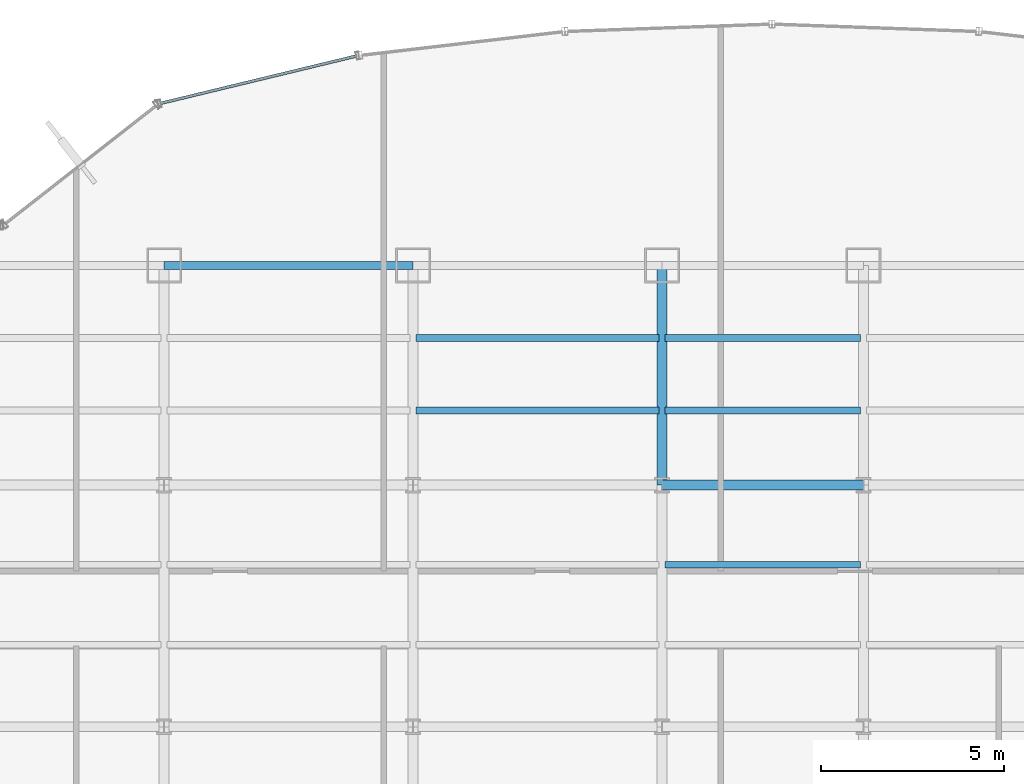
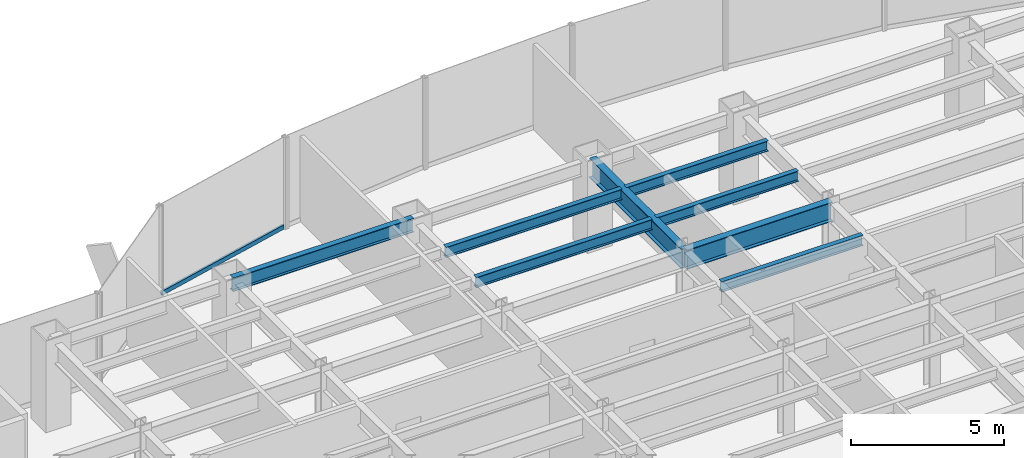
# One storey, part 12 of 23: 8 beams, 1 member, 1 element without a shape of its own.
"""IFC4 building model written with IfcOpenShell, lengths in metres."""

from ifc_helpers import new_model, si_unit, derived_unit, direction, frame, origin, origin_2d, place, context, subcontext, project, spatial, hollow_rectangle, i_section, extrude, source, transform, mapped, material, material_profile, profile_set, type_object, element, aggregate, save


model = new_model("IFC4")

# Units and contexts
model_context = context("Model", 3, precision=1e-05, world=origin(), true_north=direction((0.0, 1.0)))
body_context = subcontext(model_context, "Body", "Model", "MODEL_VIEW")
ifc_project = project(units=[si_unit("LENGTHUNIT", "METRE"), si_unit("AREAUNIT", "SQUARE_METRE"), si_unit("VOLUMEUNIT", "CUBIC_METRE"), si_unit("PLANEANGLEUNIT", "RADIAN"), si_unit("MASSUNIT", "GRAM", prefix="KILO"), derived_unit("THERMALTRANSMITTANCEUNIT", [(si_unit("POWERUNIT", "WATT"), 1), (si_unit("LENGTHUNIT", "METRE"), -2), (si_unit("THERMODYNAMICTEMPERATUREUNIT", "KELVIN"), -1)])], contexts=[model_context])

# Site, building, storey
site_placement = place(None, origin())
site = spatial("IfcSite", under=ifc_project, at=site_placement, CompositionType="ELEMENT")
building_placement = place(site_placement, origin())
building = spatial("IfcBuilding", under=site, at=building_placement, Name="Skarnbrae Concourse Arena and Tower", CompositionType="ELEMENT")
storey_placement = place(building_placement, frame((0.0, 0.0, 47.10009765625)))
storey = spatial("IfcBuildingStorey", under=building, at=storey_placement, Name="L10", CompositionType="ELEMENT", Elevation=47.10009765625)

# Beams
ifc_material_1 = material(Name="Steel CSA G40.21 350W", Category="steel")
ifc_material_profile_1 = material_profile(ifc_material_1, i_section(OverallWidth=0.26806640625, OverallDepth=0.77001953125, WebThickness=0.015625, FlangeThickness=0.025390625, at=origin_2d()), Name="W760X196")
ifc_profile_set_1 = profile_set([ifc_material_profile_1], Name="Steel CSA G40.21 350W")
beam_type_1 = type_object("IfcBeamType", Name="BM-GIRD-W760X196", PredefinedType="BEAM", material=ifc_profile_set_1)
shared_shape_1 = source(origin(), body_context, "Body", "SweptSolid", [
    extrude(i_section(OverallWidth=0.26806640625, OverallDepth=0.77001953125, WebThickness=0.015625, FlangeThickness=0.025390625, at=origin_2d()), origin(), (0.0, 0.0, 1.0), 5.5),
])
beam_1_placement = place(storey_placement, frame((28.0, 34.39990234375, 3.014892578125), z_axis=(1.0, 0.0, 0.0), x_axis=(0.0, 1.0, 0.0)))
element("IfcBeam", 1, at=beam_1_placement, inside=storey, type_object=beam_type_1, Name="L10 Primary E-W girder Y34.4-5", PredefinedType="BEAM", context=body_context, shape_type="MappedRepresentation", body=[
    mapped(shared_shape_1, transform((0.0, 0.0, 0.0))),
])
shared_shape_2 = source(origin(), body_context, "Body", "SweptSolid", [
    extrude(i_section(OverallWidth=0.26806640625, OverallDepth=0.77001953125, WebThickness=0.015625, FlangeThickness=0.025390625, at=origin_2d()), origin(), (0.0, 0.0, 1.0), 6.0),
])
beam_2_placement = place(storey_placement, frame((28.0, 34.39990234375, 3.014892578125), z_axis=(0.0, 1.0, 0.0), x_axis=(-1.0, 0.0, 0.0)))
element("IfcBeam", 2, at=beam_2_placement, inside=storey, type_object=beam_type_1, Name="L10 Primary N-S girder X28.0-4", PredefinedType="BEAM", context=body_context, shape_type="MappedRepresentation", body=[
    mapped(shared_shape_2, transform((0.0, 0.0, 0.0))),
])
ifc_material_profile_2 = material_profile(ifc_material_1, i_section(OverallWidth=0.214111328125, OverallDepth=0.549072265625, WebThickness=0.0146484375, FlangeThickness=0.023681640625, at=origin_2d()), Name="W530X138")
ifc_profile_set_2 = profile_set([ifc_material_profile_2], Name="Steel CSA G40.21 350W")
beam_type_2 = type_object("IfcBeamType", Name="BM-SPAN-W530X138", PredefinedType="SPANDREL", material=ifc_profile_set_2)
shared_shape_3 = source(origin(), body_context, "Body", "SweptSolid", [
    extrude(i_section(OverallWidth=0.214111328125, OverallDepth=0.549072265625, WebThickness=0.0146484375, FlangeThickness=0.023681640625, at=origin_2d()), origin(), (0.0, 0.0, 1.0), 6.800048828125),
])
beam_3_placement = place(storey_placement, frame((14.39990234375, 40.39990234375, 3.12548828125), z_axis=(1.0, 0.0, 0.0), x_axis=(0.0, 1.0, 0.0)))
element("IfcBeam", 3, at=beam_3_placement, inside=storey, type_object=beam_type_2, Name="L10 Perimeter spandrel Y40.4-2", PredefinedType="SPANDREL", context=body_context, shape_type="MappedRepresentation", body=[
    mapped(shared_shape_3, transform((0.0, 0.0, 0.0))),
])
ifc_material_profile_3 = material_profile(ifc_material_1, i_section(OverallWidth=0.180908203125, OverallDepth=0.4169921875, WebThickness=0.010986328125, FlangeThickness=0.018310546875, at=origin_2d()), Name="W410X85")
ifc_profile_set_3 = profile_set([ifc_material_profile_3], Name="Steel CSA G40.21 350W")
beam_type_3 = type_object("IfcBeamType", Name="BM-JOIST-W410X85", PredefinedType="JOIST", material=ifc_profile_set_3)
shared_shape_4 = source(origin(), body_context, "Body", "SweptSolid", [
    extrude(i_section(OverallWidth=0.180908203125, OverallDepth=0.4169921875, WebThickness=0.010986328125, FlangeThickness=0.018310546875, at=origin_2d()), origin(), (0.0, 0.0, 1.0), 6.639892578125),
])
for number, where, z_axis, x_axis, name in (
    (4, (21.280029296875, 36.43994140625, 3.19140625), (1.0, 0.0, 0.0), (0.0, 1.0, 0.0), "L10 Secondary floor joist 4.1.3"),
    (5, (21.280029296875, 38.419921875, 3.19140625), (1.0, 0.0, 0.0), (0.0, 1.0, 0.0), "L10 Secondary floor joist 4.2.3"),
):
    element("IfcBeam", number, at=place(storey_placement, frame(where, z_axis=z_axis, x_axis=x_axis)), inside=storey, type_object=beam_type_3, Name=name, PredefinedType="JOIST", context=body_context, shape_type="MappedRepresentation", body=[
        mapped(shared_shape_4, transform((0.0, 0.0, 0.0))),
    ])
shared_shape_5 = source(origin(), body_context, "Body", "SweptSolid", [
    extrude(i_section(OverallWidth=0.180908203125, OverallDepth=0.4169921875, WebThickness=0.010986328125, FlangeThickness=0.018310546875, at=origin_2d()), origin(), (0.0, 0.0, 1.0), 5.33984375),
])
for number, where, z_axis, x_axis, name in (
    (6, (28.080078125, 32.221923828125, 3.19140625), (1.0, 0.0, 0.0), (0.0, 1.0, 0.0), "L10 Secondary floor joist 3.2.5"),
    (7, (28.080078125, 36.43994140625, 3.19140625), (1.0, 0.0, 0.0), (0.0, 1.0, 0.0), "L10 Secondary floor joist 4.1.4"),
    (8, (28.080078125, 38.419921875, 3.19140625), (1.0, 0.0, 0.0), (0.0, 1.0, 0.0), "L10 Secondary floor joist 4.2.4"),
):
    element("IfcBeam", number, at=place(storey_placement, frame(where, z_axis=z_axis, x_axis=x_axis)), inside=storey, type_object=beam_type_3, Name=name, PredefinedType="JOIST", context=body_context, shape_type="MappedRepresentation", body=[
        mapped(shared_shape_5, transform((0.0, 0.0, 0.0))),
    ])

# Curtain wall, member
ifc_material_2 = material(Name="Bronze anodised aluminium 6063-T6", Category="aluminium")
curtain_wall_type = type_object("IfcCurtainWallType", Name="CW-SYS-03-PORTAL", PredefinedType="USERDEFINED", material=ifc_material_2)
curtain_wall_placement = place(storey_placement, origin())
curtain_wall = element("IfcCurtainWall", 9, at=curtain_wall_placement, inside=storey, type_object=curtain_wall_type, Name="L10 Unitised curtain wall CW-L10-E14", ObjectType="UNITISED CURTAIN WALL", PredefinedType="USERDEFINED")
ifc_material_profile_4 = material_profile(ifc_material_2, hollow_rectangle(XDim=0.080078125, YDim=0.169921875, WallThickness=0.00439453125, at=origin_2d()), Name="ALU-TRAN-80X170")
ifc_profile_set_4 = profile_set([ifc_material_profile_4], Name="Bronze anodised aluminium 6063-T6")
member_type = type_object("IfcMemberType", Name="CWT-CW-03", PredefinedType="USERDEFINED", material=ifc_profile_set_4)
shared_shape_6 = source(origin(), body_context, "Body", "SweptSolid", [
    extrude(hollow_rectangle(XDim=0.080078125, YDim=0.169921875, WallThickness=0.00439453125, at=origin_2d()), origin(), (0.0, 0.0, 1.0), 5.4921875),
])
member_placement = place(storey_placement, frame((19.64990234375, 46.12158203125, 0.0849609375), z_axis=(-0.971980728004, -0.235060554728, 0.0), x_axis=(0.235060554728, -0.971980728004, 0.0)))
member = element("IfcMember", 10, at=member_placement, type_object=member_type, Name="CW-L10-E14 Transom 1", ObjectType="TRANSOM", PredefinedType="USERDEFINED", context=body_context, shape_type="MappedRepresentation", body=[
    mapped(shared_shape_6, transform((0.0, 0.0, 0.0))),
])
aggregate(curtain_wall, [member])

save(model, "model.ifc")
